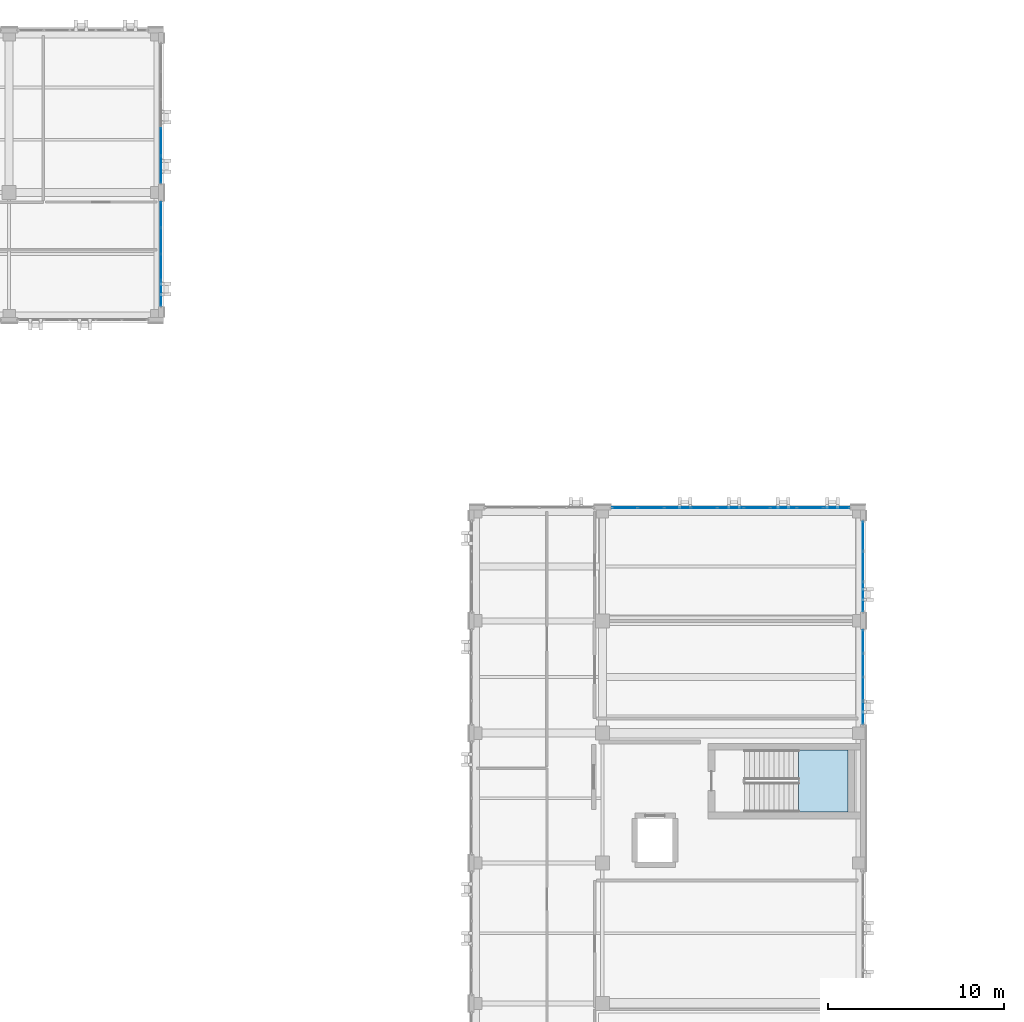
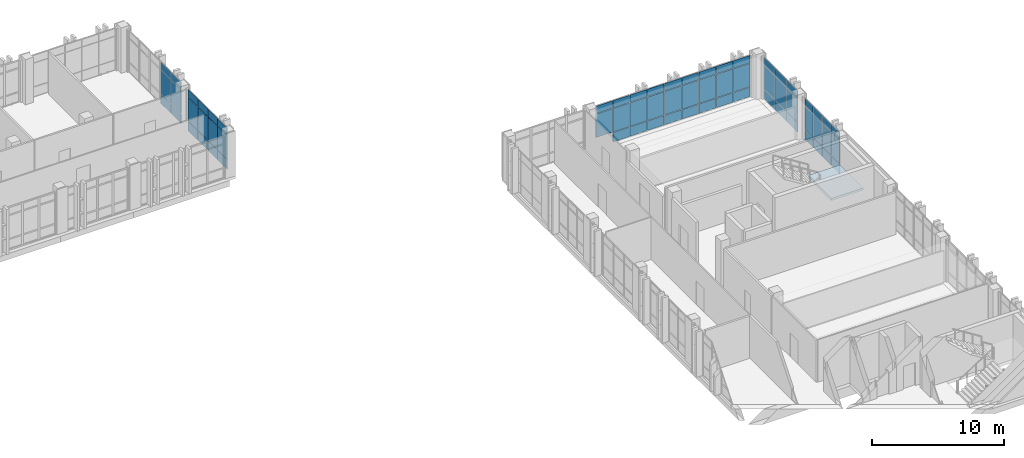
# One storey, part 129 of 165: 65 plates, 1 slab, 6 elements without a shape of their own.
"""IFC4 building model written with IfcOpenShell, lengths in metres."""

import ifcopenshell
import ifcopenshell.guid

model = None  # the IFC model being written
_history = None  # IfcOwnerHistory: only IFC2X3 demands one
_inside = {}  # id of a spatial element -> (the spatial element, [elements in it])
_under = {}  # id of a project, library or spatial element -> (it, [spatial elements below it])
_declared = {}  # id of a project -> (the project, [libraries it declares])
_typed = {}  # id of a type object -> (the type object, [elements of that type])
_made_of = {}  # id of a material, layer set ... -> (it, [elements and type objects made of it])


def new_model(schema):
    """Start an empty IFC model of exactly this schema.

    Asked for "IFC4X3", IfcOpenShell would pick the latest addendum, in which some entities
    have other attributes; the version numbers below select the first issue.
    IFC2X3 requires an IfcOwnerHistory on every rooted entity: one is made here for all.
    """
    global model, _history
    if schema == "IFC4X3":
        model = ifcopenshell.file(schema_version=(4, 3, 0, 0))
    else:
        model = ifcopenshell.file(schema=schema)
    _inside.clear()
    _under.clear()
    _declared.clear()
    _typed.clear()
    _made_of.clear()
    _history = None
    if model.schema == "IFC2X3":
        org = make("IfcOrganization", Name="unknown")
        user = make(
            "IfcPersonAndOrganization",
            ThePerson=make("IfcPerson", FamilyName="unknown"),
            TheOrganization=org,
        )
        app = make(
            "IfcApplication",
            ApplicationDeveloper=org,
            Version="unknown",
            ApplicationFullName="unknown",
            ApplicationIdentifier="unknown",
        )
        _history = make(
            "IfcOwnerHistory",
            OwningUser=user,
            OwningApplication=app,
            ChangeAction="ADDED",
            CreationDate=0,
        )
    return model


def make(cls, **values):
    """One entity of the class cls with the attributes given. An attribute that is None is left unset."""
    return model.create_entity(
        cls, **{name: value for name, value in values.items() if value is not None}
    )


def rooted(cls, **values):
    """An entity with a GlobalId (a new one), such as an element, a storey or a relation."""
    return make(cls, GlobalId=ifcopenshell.guid.new(), OwnerHistory=_history, **values)


def si_unit(unit_type, name, prefix=None):
    """IfcSIUnit, for example si_unit("LENGTHUNIT", "METRE", prefix="MILLI")."""
    return make("IfcSIUnit", UnitType=unit_type, Prefix=prefix, Name=name)


def assignment(units):
    """IfcUnitAssignment: the units of a project."""
    return None if units is None else make("IfcUnitAssignment", Units=units)


def point(xyz):
    """IfcCartesianPoint."""
    return None if xyz is None else make("IfcCartesianPoint", Coordinates=xyz)


def direction(xyz):
    """IfcDirection."""
    return None if xyz is None else make("IfcDirection", DirectionRatios=xyz)


def frame(location, z_axis=None, x_axis=None):
    """IfcAxis2Placement3D, a coordinate frame: its origin and axes. An axis left out is left unset."""
    return make(
        "IfcAxis2Placement3D",
        Location=point(location),
        Axis=direction(z_axis),
        RefDirection=direction(x_axis),
    )


def frame_2d(location, x_axis=None):
    """IfcAxis2Placement2D, a coordinate frame in the plane: its origin and x axis."""
    return make(
        "IfcAxis2Placement2D", Location=point(location), RefDirection=direction(x_axis)
    )


def origin():
    """The frame at (0, 0, 0) with its axes left unset."""
    return frame((0.0, 0.0, 0.0))


def origin_2d():
    """The frame at (0, 0) in the plane with its x axis left unset."""
    return frame_2d((0.0, 0.0))


def place(relative_to, where):
    """IfcLocalPlacement: puts the frame where relative to a parent placement (None: the world)."""
    return make(
        "IfcLocalPlacement", PlacementRelTo=relative_to, RelativePlacement=where
    )


def context(
    kind, dimensions, precision=None, world=None, true_north=None, identifier=None
):
    """IfcGeometricRepresentationContext, for example the 3D "Model" context."""
    return make(
        "IfcGeometricRepresentationContext",
        ContextIdentifier=identifier,
        ContextType=kind,
        CoordinateSpaceDimension=dimensions,
        Precision=precision,
        WorldCoordinateSystem=world,
        TrueNorth=true_north,
    )


def subcontext(parent, identifier, kind, view, scale=None):
    """IfcGeometricRepresentationSubContext, for example "Body" below "Model"."""
    return make(
        "IfcGeometricRepresentationSubContext",
        ContextIdentifier=identifier,
        ContextType=kind,
        ParentContext=parent,
        TargetScale=scale,
        TargetView=view,
    )


def project(units=None, contexts=None):
    """IfcProject with its units and contexts."""
    return rooted(
        "IfcProject",
        Name="project",
        RepresentationContexts=contexts,
        UnitsInContext=assignment(units),
    )


def spatial(cls, under=None, at=None, **own):
    """A site, building, storey or space (cls), placed at a placement, below another one or the project."""
    s = rooted(cls, ObjectPlacement=at, **own)
    if under is not None:
        _under.setdefault(under.id(), (under, []))[1].append(s)
    return s


def polyline(points):
    """IfcPolyline through the points."""
    return make("IfcPolyline", Points=[point(p) for p in points])


def profile(cls, at=None, kind="AREA", **sizes):
    """A parametric profile (cls). Its sizes go by their IFC names, for example OverallWidth=200.0."""
    return make(cls, ProfileType=kind, Position=at, **sizes)


def rectangle(**sizes):
    """IfcRectangleProfileDef."""
    return profile("IfcRectangleProfileDef", **sizes)


def outline(outer, holes=None, kind="AREA"):
    """IfcArbitraryClosedProfileDef: a profile drawn as a closed curve; with holes, ...WithVoids."""
    if holes is None:
        return make("IfcArbitraryClosedProfileDef", ProfileType=kind, OuterCurve=outer)
    return make(
        "IfcArbitraryProfileDefWithVoids",
        ProfileType=kind,
        OuterCurve=outer,
        InnerCurves=holes,
    )


def extrude(swept, where, along, depth):
    """IfcExtrudedAreaSolid: the profile swept, set in the frame where, extruded along a direction by depth."""
    return make(
        "IfcExtrudedAreaSolid",
        SweptArea=swept,
        Position=where,
        ExtrudedDirection=direction(along),
        Depth=depth,
    )


def shape(context_of_items, identifier, shape_type, items):
    """IfcShapeRepresentation: the items that make up one representation, for example the "Body"."""
    return make(
        "IfcShapeRepresentation",
        ContextOfItems=context_of_items,
        RepresentationIdentifier=identifier,
        RepresentationType=shape_type,
        Items=items,
    )


def material(Name=None, Category=None):
    """IfcMaterial."""
    return make("IfcMaterial", Name=Name, Category=Category)


def layer(
    of_material, thickness, ventilated=None, Name=None, Category=None, Priority=None
):
    """IfcMaterialLayer: one layer of a wall or slab, of a material (None: an air gap)."""
    return make(
        "IfcMaterialLayer",
        Material=of_material,
        LayerThickness=thickness,
        IsVentilated=ventilated,
        Name=Name,
        Category=Category,
        Priority=Priority,
    )


def layer_set(layers, Name=None):
    """IfcMaterialLayerSet."""
    return make("IfcMaterialLayerSet", MaterialLayers=layers, LayerSetName=Name)


def made_of(thing, what):
    """Note that an element or type object is made of a material, layer set ...; save() writes the relation."""
    if what is not None:
        _made_of.setdefault(what.id(), (what, []))[1].append(thing)
    return thing


def type_object(cls, material=None, **own):
    """A type object (cls), such as IfcWallType, which elements share."""
    return made_of(rooted(cls, **own), material)


def element(
    cls,
    number,
    at=None,
    inside=None,
    cuts=None,
    type_object=None,
    material=None,
    context=None,
    identifier="Body",
    shape_type=None,
    held_by="IfcProductDefinitionShape",
    body=None,
    shapes=None,
    **own,
):
    """One element of the class cls, such as IfcWall. Its Tag is "e" and its number.

    at: its placement. inside: the storey or other place that contains it. cuts: it is an
    opening in that element (IfcRelVoidsElement). A single representation is given by context,
    identifier, shape_type and body (its items); several are given by shapes. held_by: the class
    of the entity that holds the representations. save() writes the other relations.
    """
    e = rooted(cls, Tag="e%d" % number, ObjectPlacement=at, **own)
    if body is not None:
        shapes = [shape(context, identifier, shape_type, body)]
    if shapes is not None:
        e.Representation = make(held_by, Representations=shapes)
    if inside is not None:
        _inside.setdefault(inside.id(), (inside, []))[1].append(e)
    if cuts is not None:
        rooted(
            "IfcRelVoidsElement", RelatingBuildingElement=cuts, RelatedOpeningElement=e
        )
    if type_object is not None:
        _typed.setdefault(type_object.id(), (type_object, []))[1].append(e)
    return made_of(e, material)


def aggregate(whole, parts):
    """IfcRelAggregates: a whole, such as a stair, and the parts it consists of."""
    return rooted("IfcRelAggregates", RelatingObject=whole, RelatedObjects=parts)


def save(model, path):
    """Write the relations noted so far, then the file.

    IfcRelAggregates (storeys below a building ...), IfcRelContainedInSpatialStructure (elements
    in a storey), IfcRelDefinesByType, IfcRelAssociatesMaterial and IfcRelDeclares: one each for
    every whole, place, type object, material and project.
    """
    for whole, parts in _under.values():
        aggregate(whole, parts)
    for where, things in _inside.values():
        rooted(
            "IfcRelContainedInSpatialStructure",
            RelatedElements=things,
            RelatingStructure=where,
        )
    for kind, things in _typed.values():
        rooted("IfcRelDefinesByType", RelatedObjects=things, RelatingType=kind)
    for what, things in _made_of.values():
        rooted("IfcRelAssociatesMaterial", RelatedObjects=things, RelatingMaterial=what)
    for by, libraries in _declared.values():
        rooted("IfcRelDeclares", RelatingContext=by, RelatedDefinitions=libraries)
    model.write(path)


model = new_model("IFC4")

# Units and contexts
model_context = context("Model", 3, precision=1e-05, world=origin(), true_north=direction((0.0, 1.0)))
body_context = subcontext(model_context, "Body", "Model", "MODEL_VIEW")
ifc_project = project(units=[si_unit("LENGTHUNIT", "METRE"), si_unit("AREAUNIT", "SQUARE_METRE"), si_unit("VOLUMEUNIT", "CUBIC_METRE"), si_unit("PLANEANGLEUNIT", "RADIAN"), si_unit("MASSUNIT", "GRAM", prefix="KILO")], contexts=[model_context])

# Site, building, storey
site_placement = place(None, origin())
site = spatial("IfcSite", under=ifc_project, at=site_placement, CompositionType="ELEMENT")
building_placement = place(site_placement, origin())
building = spatial("IfcBuilding", under=site, at=building_placement, Name="Qalavern Law Courts", CompositionType="ELEMENT")
storey_placement = place(building_placement, frame((0.0, 0.0, 14.39990234375)))
storey = spatial("IfcBuildingStorey", under=building, at=storey_placement, Name="L03", CompositionType="ELEMENT", Elevation=14.39990234375)

# Curtain wall, plates
ifc_material_1 = material(Name="Anodised aluminium and insulated glazing", Category="aluminium")
ifc_layer_1 = layer(ifc_material_1, 0.166015625)
ifc_layer_set_1 = layer_set([ifc_layer_1], Name="Anodised aluminium and insulated glazing")
curtain_wall_type_1 = type_object("IfcCurtainWallType", Name="ENV-CW-LIB", PredefinedType="USERDEFINED", material=ifc_layer_set_1)
curtain_wall_1_placement = place(storey_placement, origin())
curtain_wall_1 = element("IfcCurtainWall", 1, at=curtain_wall_1_placement, inside=storey, type_object=curtain_wall_type_1, Name="V5 unitised curtain wall L03 east 2", ObjectType="UNITISED CURTAIN WALL", PredefinedType="USERDEFINED")
ifc_material_2 = material(Name="Insulated low-E acoustic glazing", Category="glass")
ifc_layer_2 = layer(ifc_material_2, 0.02392578125)
ifc_layer_set_2 = layer_set([ifc_layer_2], Name="Insulated low-E acoustic glazing")
plate_type_1 = type_object("IfcPlateType", Name="ENV-CWP-24", PredefinedType="CURTAIN_PANEL", material=ifc_layer_set_2)
plate_1_placement = place(storey_placement, frame((66.652587890625, 104.912109375, 0.048095703125), z_axis=(0.0, 0.0, 1.0), x_axis=(0.0, 1.0, 0.0)))
plate_1 = element("IfcPlate", 2, at=plate_1_placement, type_object=plate_type_1, Name="CW-05 panel 1.1", PredefinedType="CURTAIN_PANEL", context=body_context, shape_type="SweptSolid", body=[
    extrude(rectangle(XDim=1.528076171875, YDim=0.02392578125, at=origin_2d()), origin(), (0.0, 0.0, 1.0), 0.8779296875),
])
plate_2_placement = place(storey_placement, frame((66.652587890625, 104.912109375, 0.97412109375), z_axis=(0.0, 0.0, 1.0), x_axis=(0.0, 1.0, 0.0)))
plate_2 = element("IfcPlate", 3, at=plate_2_placement, type_object=plate_type_1, Name="CW-05 panel 1.2", PredefinedType="CURTAIN_PANEL", context=body_context, shape_type="SweptSolid", body=[
    extrude(rectangle(XDim=1.528076171875, YDim=0.02392578125, at=origin_2d()), origin(), (0.0, 0.0, 1.0), 2.172119140625),
])
plate_3_placement = place(storey_placement, frame((66.652587890625, 104.912109375, 3.1943359375), z_axis=(0.0, 0.0, 1.0), x_axis=(0.0, 1.0, 0.0)))
plate_3 = element("IfcPlate", 4, at=plate_3_placement, type_object=plate_type_1, Name="CW-05 panel 1.3", PredefinedType="CURTAIN_PANEL", context=body_context, shape_type="SweptSolid", body=[
    extrude(rectangle(XDim=1.528076171875, YDim=0.02392578125, at=origin_2d()), origin(), (0.0, 0.0, 1.0), 0.677978515625),
])
plate_4_placement = place(storey_placement, frame((66.652587890625, 106.5, 0.048095703125), z_axis=(0.0, 0.0, 1.0), x_axis=(0.0, 1.0, 0.0)))
plate_4 = element("IfcPlate", 5, at=plate_4_placement, type_object=plate_type_1, Name="CW-05 panel 2.1", PredefinedType="CURTAIN_PANEL", context=body_context, shape_type="SweptSolid", body=[
    extrude(rectangle(XDim=1.552001953125, YDim=0.02392578125, at=origin_2d()), origin(), (0.0, 0.0, 1.0), 0.8779296875),
])
plate_5_placement = place(storey_placement, frame((66.652587890625, 106.5, 0.97412109375), z_axis=(0.0, 0.0, 1.0), x_axis=(0.0, 1.0, 0.0)))
plate_5 = element("IfcPlate", 6, at=plate_5_placement, type_object=plate_type_1, Name="CW-05 panel 2.2", PredefinedType="CURTAIN_PANEL", context=body_context, shape_type="SweptSolid", body=[
    extrude(rectangle(XDim=1.552001953125, YDim=0.02392578125, at=origin_2d()), origin(), (0.0, 0.0, 1.0), 2.172119140625),
])
plate_6_placement = place(storey_placement, frame((66.652587890625, 106.5, 3.1943359375), z_axis=(0.0, 0.0, 1.0), x_axis=(0.0, 1.0, 0.0)))
plate_6 = element("IfcPlate", 7, at=plate_6_placement, type_object=plate_type_1, Name="CW-05 panel 2.3", PredefinedType="CURTAIN_PANEL", context=body_context, shape_type="SweptSolid", body=[
    extrude(rectangle(XDim=1.552001953125, YDim=0.02392578125, at=origin_2d()), origin(), (0.0, 0.0, 1.0), 0.677978515625),
])
aggregate(curtain_wall_1, [plate_1, plate_2, plate_3, plate_4, plate_5, plate_6])

ifc_layer_3 = layer(ifc_material_1, 0.172119140625)
ifc_layer_set_3 = layer_set([ifc_layer_3], Name="Anodised aluminium and insulated glazing")
curtain_wall_type_2 = type_object("IfcCurtainWallType", Name="ENV-CW-COURT", PredefinedType="USERDEFINED", material=ifc_layer_set_3)
curtain_wall_2_placement = place(storey_placement, origin())
curtain_wall_2 = element("IfcCurtainWall", 8, at=curtain_wall_2_placement, inside=storey, type_object=curtain_wall_type_2, Name="V4 unitised curtain wall L03 east 4", ObjectType="UNITISED CURTAIN WALL", PredefinedType="USERDEFINED")
ifc_layer_4 = layer(ifc_material_2, 0.031982421875)
ifc_layer_set_4 = layer_set([ifc_layer_4], Name="Insulated low-E acoustic glazing")
plate_type_2 = type_object("IfcPlateType", Name="ENV-CWP-32", PredefinedType="CURTAIN_PANEL", material=ifc_layer_set_4)
plate_7_placement = place(storey_placement, frame((106.652587890625, 73.987060546875, 0.048095703125), z_axis=(0.0, 0.0, 1.0), x_axis=(0.0, 1.0, 0.0)))
plate_7 = element("IfcPlate", 9, at=plate_7_placement, type_object=plate_type_2, Name="CW-03 panel 1.1", PredefinedType="CURTAIN_PANEL", context=body_context, shape_type="SweptSolid", body=[
    extrude(rectangle(XDim=1.278076171875, YDim=0.031982421875, at=origin_2d()), origin(), (0.0, 0.0, 1.0), 0.8779296875),
])
plate_8_placement = place(storey_placement, frame((106.652587890625, 73.987060546875, 0.97412109375), z_axis=(0.0, 0.0, 1.0), x_axis=(0.0, 1.0, 0.0)))
plate_8 = element("IfcPlate", 10, at=plate_8_placement, type_object=plate_type_2, Name="CW-03 panel 1.2", PredefinedType="CURTAIN_PANEL", context=body_context, shape_type="SweptSolid", body=[
    extrude(rectangle(XDim=1.278076171875, YDim=0.031982421875, at=origin_2d()), origin(), (0.0, 0.0, 1.0), 2.172119140625),
])
plate_9_placement = place(storey_placement, frame((106.652587890625, 73.987060546875, 3.1943359375), z_axis=(0.0, 0.0, 1.0), x_axis=(0.0, 1.0, 0.0)))
plate_9 = element("IfcPlate", 11, at=plate_9_placement, type_object=plate_type_2, Name="CW-03 panel 1.3", PredefinedType="CURTAIN_PANEL", context=body_context, shape_type="SweptSolid", body=[
    extrude(rectangle(XDim=1.278076171875, YDim=0.031982421875, at=origin_2d()), origin(), (0.0, 0.0, 1.0), 0.677978515625),
])
plate_10_placement = place(storey_placement, frame((106.652587890625, 75.324951171875, 0.048095703125), z_axis=(0.0, 0.0, 1.0), x_axis=(0.0, 1.0, 0.0)))
plate_10 = element("IfcPlate", 12, at=plate_10_placement, type_object=plate_type_2, Name="CW-03 panel 2.1", PredefinedType="CURTAIN_PANEL", context=body_context, shape_type="SweptSolid", body=[
    extrude(rectangle(XDim=1.302001953125, YDim=0.031982421875, at=origin_2d()), origin(), (0.0, 0.0, 1.0), 0.8779296875),
])
plate_11_placement = place(storey_placement, frame((106.652587890625, 75.324951171875, 0.97412109375), z_axis=(0.0, 0.0, 1.0), x_axis=(0.0, 1.0, 0.0)))
plate_11 = element("IfcPlate", 13, at=plate_11_placement, type_object=plate_type_2, Name="CW-03 panel 2.2", PredefinedType="CURTAIN_PANEL", context=body_context, shape_type="SweptSolid", body=[
    extrude(rectangle(XDim=1.302001953125, YDim=0.031982421875, at=origin_2d()), origin(), (0.0, 0.0, 1.0), 2.172119140625),
])
plate_12_placement = place(storey_placement, frame((106.652587890625, 75.324951171875, 3.1943359375), z_axis=(0.0, 0.0, 1.0), x_axis=(0.0, 1.0, 0.0)))
plate_12 = element("IfcPlate", 14, at=plate_12_placement, type_object=plate_type_2, Name="CW-03 panel 2.3", PredefinedType="CURTAIN_PANEL", context=body_context, shape_type="SweptSolid", body=[
    extrude(rectangle(XDim=1.302001953125, YDim=0.031982421875, at=origin_2d()), origin(), (0.0, 0.0, 1.0), 0.677978515625),
])
plate_13_placement = place(storey_placement, frame((106.652587890625, 76.675048828125, 0.048095703125), z_axis=(0.0, 0.0, 1.0), x_axis=(0.0, 1.0, 0.0)))
plate_13 = element("IfcPlate", 15, at=plate_13_placement, type_object=plate_type_2, Name="CW-03 panel 3.1", PredefinedType="CURTAIN_PANEL", context=body_context, shape_type="SweptSolid", body=[
    extrude(rectangle(XDim=1.302001953125, YDim=0.031982421875, at=origin_2d()), origin(), (0.0, 0.0, 1.0), 0.8779296875),
])
plate_14_placement = place(storey_placement, frame((106.652587890625, 76.675048828125, 0.97412109375), z_axis=(0.0, 0.0, 1.0), x_axis=(0.0, 1.0, 0.0)))
plate_14 = element("IfcPlate", 16, at=plate_14_placement, type_object=plate_type_2, Name="CW-03 panel 3.2", PredefinedType="CURTAIN_PANEL", context=body_context, shape_type="SweptSolid", body=[
    extrude(rectangle(XDim=1.302001953125, YDim=0.031982421875, at=origin_2d()), origin(), (0.0, 0.0, 1.0), 2.172119140625),
])
plate_15_placement = place(storey_placement, frame((106.652587890625, 76.675048828125, 3.1943359375), z_axis=(0.0, 0.0, 1.0), x_axis=(0.0, 1.0, 0.0)))
plate_15 = element("IfcPlate", 17, at=plate_15_placement, type_object=plate_type_2, Name="CW-03 panel 3.3", PredefinedType="CURTAIN_PANEL", context=body_context, shape_type="SweptSolid", body=[
    extrude(rectangle(XDim=1.302001953125, YDim=0.031982421875, at=origin_2d()), origin(), (0.0, 0.0, 1.0), 0.677978515625),
])
plate_16_placement = place(storey_placement, frame((106.652587890625, 78.012939453125, 0.048095703125), z_axis=(0.0, 0.0, 1.0), x_axis=(0.0, 1.0, 0.0)))
plate_16 = element("IfcPlate", 18, at=plate_16_placement, type_object=plate_type_2, Name="CW-03 panel 4.1", PredefinedType="CURTAIN_PANEL", context=body_context, shape_type="SweptSolid", body=[
    extrude(rectangle(XDim=1.278076171875, YDim=0.031982421875, at=origin_2d()), origin(), (0.0, 0.0, 1.0), 0.8779296875),
])
plate_17_placement = place(storey_placement, frame((106.652587890625, 78.012939453125, 0.97412109375), z_axis=(0.0, 0.0, 1.0), x_axis=(0.0, 1.0, 0.0)))
plate_17 = element("IfcPlate", 19, at=plate_17_placement, type_object=plate_type_2, Name="CW-03 panel 4.2", PredefinedType="CURTAIN_PANEL", context=body_context, shape_type="SweptSolid", body=[
    extrude(rectangle(XDim=1.278076171875, YDim=0.031982421875, at=origin_2d()), origin(), (0.0, 0.0, 1.0), 2.172119140625),
])
plate_18_placement = place(storey_placement, frame((106.652587890625, 78.012939453125, 3.1943359375), z_axis=(0.0, 0.0, 1.0), x_axis=(0.0, 1.0, 0.0)))
plate_18 = element("IfcPlate", 20, at=plate_18_placement, type_object=plate_type_2, Name="CW-03 panel 4.3", PredefinedType="CURTAIN_PANEL", context=body_context, shape_type="SweptSolid", body=[
    extrude(rectangle(XDim=1.278076171875, YDim=0.031982421875, at=origin_2d()), origin(), (0.0, 0.0, 1.0), 0.677978515625),
])
aggregate(curtain_wall_2, [plate_7, plate_8, plate_9, plate_10, plate_11, plate_12, plate_13, plate_14, plate_15, plate_16, plate_17, plate_18])

curtain_wall_3_placement = place(storey_placement, origin())
curtain_wall_3 = element("IfcCurtainWall", 21, at=curtain_wall_3_placement, inside=storey, type_object=curtain_wall_type_2, Name="V4 unitised curtain wall L03 east 5", ObjectType="UNITISED CURTAIN WALL", PredefinedType="USERDEFINED")
ifc_layer_5 = layer(ifc_material_2, 0.035888671875)
ifc_layer_set_5 = layer_set([ifc_layer_5], Name="Insulated low-E acoustic glazing")
plate_type_3 = type_object("IfcPlateType", Name="ENV-CWP-36", PredefinedType="CURTAIN_PANEL", material=ifc_layer_set_5)
plate_19_placement = place(storey_placement, frame((106.652587890625, 80.57861328125, 0.048095703125), z_axis=(0.0, 0.0, 1.0), x_axis=(0.0, 1.0, 0.0)))
plate_19 = element("IfcPlate", 22, at=plate_19_placement, type_object=plate_type_3, Name="CW-03 panel 1.1", PredefinedType="CURTAIN_PANEL", context=body_context, shape_type="SweptSolid", body=[
    extrude(rectangle(XDim=1.661376953125, YDim=0.035888671875, at=origin_2d()), origin(), (0.0, 0.0, 1.0), 0.8779296875),
])
plate_20_placement = place(storey_placement, frame((106.652587890625, 80.57861328125, 0.97412109375), z_axis=(0.0, 0.0, 1.0), x_axis=(0.0, 1.0, 0.0)))
plate_20 = element("IfcPlate", 23, at=plate_20_placement, type_object=plate_type_3, Name="CW-03 panel 1.2", PredefinedType="CURTAIN_PANEL", context=body_context, shape_type="SweptSolid", body=[
    extrude(rectangle(XDim=1.661376953125, YDim=0.035888671875, at=origin_2d()), origin(), (0.0, 0.0, 1.0), 2.172119140625),
])
plate_21_placement = place(storey_placement, frame((106.652587890625, 80.57861328125, 3.1943359375), z_axis=(0.0, 0.0, 1.0), x_axis=(0.0, 1.0, 0.0)))
plate_21 = element("IfcPlate", 24, at=plate_21_placement, type_object=plate_type_3, Name="CW-03 panel 1.3", PredefinedType="CURTAIN_PANEL", context=body_context, shape_type="SweptSolid", body=[
    extrude(rectangle(XDim=1.661376953125, YDim=0.035888671875, at=origin_2d()), origin(), (0.0, 0.0, 1.0), 0.677978515625),
])
plate_22_placement = place(storey_placement, frame((106.652587890625, 82.300048828125, 0.048095703125), z_axis=(0.0, 0.0, 1.0), x_axis=(0.0, 1.0, 0.0)))
plate_22 = element("IfcPlate", 25, at=plate_22_placement, type_object=plate_type_3, Name="CW-03 panel 2.1", PredefinedType="CURTAIN_PANEL", context=body_context, shape_type="SweptSolid", body=[
    extrude(rectangle(XDim=1.685302734375, YDim=0.035888671875, at=origin_2d()), origin(), (0.0, 0.0, 1.0), 0.8779296875),
])
plate_23_placement = place(storey_placement, frame((106.652587890625, 82.300048828125, 0.97412109375), z_axis=(0.0, 0.0, 1.0), x_axis=(0.0, 1.0, 0.0)))
plate_23 = element("IfcPlate", 26, at=plate_23_placement, type_object=plate_type_3, Name="CW-03 panel 2.2", PredefinedType="CURTAIN_PANEL", context=body_context, shape_type="SweptSolid", body=[
    extrude(rectangle(XDim=1.685302734375, YDim=0.035888671875, at=origin_2d()), origin(), (0.0, 0.0, 1.0), 2.172119140625),
])
plate_24_placement = place(storey_placement, frame((106.652587890625, 82.300048828125, 3.1943359375), z_axis=(0.0, 0.0, 1.0), x_axis=(0.0, 1.0, 0.0)))
plate_24 = element("IfcPlate", 27, at=plate_24_placement, type_object=plate_type_3, Name="CW-03 panel 2.3", PredefinedType="CURTAIN_PANEL", context=body_context, shape_type="SweptSolid", body=[
    extrude(rectangle(XDim=1.685302734375, YDim=0.035888671875, at=origin_2d()), origin(), (0.0, 0.0, 1.0), 0.677978515625),
])
plate_25_placement = place(storey_placement, frame((106.652587890625, 84.021240234375, 0.048095703125), z_axis=(0.0, 0.0, 1.0), x_axis=(0.0, 1.0, 0.0)))
plate_25 = element("IfcPlate", 28, at=plate_25_placement, type_object=plate_type_3, Name="CW-03 panel 3.1", PredefinedType="CURTAIN_PANEL", context=body_context, shape_type="SweptSolid", body=[
    extrude(rectangle(XDim=1.661376953125, YDim=0.035888671875, at=origin_2d()), origin(), (0.0, 0.0, 1.0), 0.8779296875),
])
plate_26_placement = place(storey_placement, frame((106.652587890625, 84.021240234375, 0.97412109375), z_axis=(0.0, 0.0, 1.0), x_axis=(0.0, 1.0, 0.0)))
plate_26 = element("IfcPlate", 29, at=plate_26_placement, type_object=plate_type_3, Name="CW-03 panel 3.2", PredefinedType="CURTAIN_PANEL", context=body_context, shape_type="SweptSolid", body=[
    extrude(rectangle(XDim=1.661376953125, YDim=0.035888671875, at=origin_2d()), origin(), (0.0, 0.0, 1.0), 2.172119140625),
])
plate_27_placement = place(storey_placement, frame((106.652587890625, 84.021240234375, 3.1943359375), z_axis=(0.0, 0.0, 1.0), x_axis=(0.0, 1.0, 0.0)))
plate_27 = element("IfcPlate", 30, at=plate_27_placement, type_object=plate_type_3, Name="CW-03 panel 3.3", PredefinedType="CURTAIN_PANEL", context=body_context, shape_type="SweptSolid", body=[
    extrude(rectangle(XDim=1.661376953125, YDim=0.035888671875, at=origin_2d()), origin(), (0.0, 0.0, 1.0), 0.677978515625),
])
aggregate(curtain_wall_3, [plate_19, plate_20, plate_21, plate_22, plate_23, plate_24, plate_25, plate_26, plate_27])

curtain_wall_4_placement = place(storey_placement, origin())
curtain_wall_4 = element("IfcCurtainWall", 31, at=curtain_wall_4_placement, inside=storey, type_object=curtain_wall_type_2, Name="V4 unitised curtain wall L03 north 1", ObjectType="UNITISED CURTAIN WALL", PredefinedType="USERDEFINED")
ifc_layer_6 = layer(ifc_material_2, 0.052001953125)
ifc_layer_set_6 = layer_set([ifc_layer_6], Name="Insulated low-E acoustic glazing")
plate_type_4 = type_object("IfcPlateType", Name="ENV-CWP-52", PredefinedType="CURTAIN_PANEL", material=ifc_layer_set_6)
plate_28_placement = place(storey_placement, frame((105.13232421875, 85.652587890625, 0.048095703125), z_axis=(0.0, 0.0, 1.0), x_axis=(-1.0, 0.0, 0.0)))
plate_28 = element("IfcPlate", 32, at=plate_28_placement, type_object=plate_type_4, Name="CW-03 panel 1.1", PredefinedType="CURTAIN_PANEL", context=body_context, shape_type="SweptSolid", body=[
    extrude(rectangle(XDim=1.439208984375, YDim=0.052001953125, at=origin_2d()), origin(), (0.0, 0.0, 1.0), 0.8779296875),
])
plate_29_placement = place(storey_placement, frame((105.13232421875, 85.652587890625, 0.97412109375), z_axis=(0.0, 0.0, 1.0), x_axis=(-1.0, 0.0, 0.0)))
plate_29 = element("IfcPlate", 33, at=plate_29_placement, type_object=plate_type_4, Name="CW-03 panel 1.2", PredefinedType="CURTAIN_PANEL", context=body_context, shape_type="SweptSolid", body=[
    extrude(rectangle(XDim=1.439208984375, YDim=0.052001953125, at=origin_2d()), origin(), (0.0, 0.0, 1.0), 2.172119140625),
])
plate_30_placement = place(storey_placement, frame((105.13232421875, 85.652587890625, 3.1943359375), z_axis=(0.0, 0.0, 1.0), x_axis=(-1.0, 0.0, 0.0)))
plate_30 = element("IfcPlate", 34, at=plate_30_placement, type_object=plate_type_4, Name="CW-03 panel 1.3", PredefinedType="CURTAIN_PANEL", context=body_context, shape_type="SweptSolid", body=[
    extrude(rectangle(XDim=1.439208984375, YDim=0.052001953125, at=origin_2d()), origin(), (0.0, 0.0, 1.0), 0.677978515625),
])
plate_31_placement = place(storey_placement, frame((103.63330078125, 85.652587890625, 0.048095703125), z_axis=(0.0, 0.0, 1.0), x_axis=(-1.0, 0.0, 0.0)))
plate_31 = element("IfcPlate", 35, at=plate_31_placement, type_object=plate_type_4, Name="CW-03 panel 2.1", PredefinedType="CURTAIN_PANEL", context=body_context, shape_type="SweptSolid", body=[
    extrude(rectangle(XDim=1.463134765625, YDim=0.052001953125, at=origin_2d()), origin(), (0.0, 0.0, 1.0), 0.8779296875),
])
plate_32_placement = place(storey_placement, frame((103.63330078125, 85.652587890625, 0.97412109375), z_axis=(0.0, 0.0, 1.0), x_axis=(-1.0, 0.0, 0.0)))
plate_32 = element("IfcPlate", 36, at=plate_32_placement, type_object=plate_type_4, Name="CW-03 panel 2.2", PredefinedType="CURTAIN_PANEL", context=body_context, shape_type="SweptSolid", body=[
    extrude(rectangle(XDim=1.463134765625, YDim=0.052001953125, at=origin_2d()), origin(), (0.0, 0.0, 1.0), 2.172119140625),
])
plate_33_placement = place(storey_placement, frame((103.63330078125, 85.652587890625, 3.1943359375), z_axis=(0.0, 0.0, 1.0), x_axis=(-1.0, 0.0, 0.0)))
plate_33 = element("IfcPlate", 37, at=plate_33_placement, type_object=plate_type_4, Name="CW-03 panel 2.3", PredefinedType="CURTAIN_PANEL", context=body_context, shape_type="SweptSolid", body=[
    extrude(rectangle(XDim=1.463134765625, YDim=0.052001953125, at=origin_2d()), origin(), (0.0, 0.0, 1.0), 0.677978515625),
])
plate_34_placement = place(storey_placement, frame((102.122314453125, 85.652587890625, 0.048095703125), z_axis=(0.0, 0.0, 1.0), x_axis=(-1.0, 0.0, 0.0)))
plate_34 = element("IfcPlate", 38, at=plate_34_placement, type_object=plate_type_4, Name="CW-03 panel 3.1", PredefinedType="CURTAIN_PANEL", context=body_context, shape_type="SweptSolid", body=[
    extrude(rectangle(XDim=1.463134765625, YDim=0.052001953125, at=origin_2d()), origin(), (0.0, 0.0, 1.0), 0.8779296875),
])
plate_35_placement = place(storey_placement, frame((102.122314453125, 85.652587890625, 0.97412109375), z_axis=(0.0, 0.0, 1.0), x_axis=(-1.0, 0.0, 0.0)))
plate_35 = element("IfcPlate", 39, at=plate_35_placement, type_object=plate_type_4, Name="CW-03 panel 3.2", PredefinedType="CURTAIN_PANEL", context=body_context, shape_type="SweptSolid", body=[
    extrude(rectangle(XDim=1.463134765625, YDim=0.052001953125, at=origin_2d()), origin(), (0.0, 0.0, 1.0), 2.172119140625),
])
plate_36_placement = place(storey_placement, frame((102.122314453125, 85.652587890625, 3.1943359375), z_axis=(0.0, 0.0, 1.0), x_axis=(-1.0, 0.0, 0.0)))
plate_36 = element("IfcPlate", 40, at=plate_36_placement, type_object=plate_type_4, Name="CW-03 panel 3.3", PredefinedType="CURTAIN_PANEL", context=body_context, shape_type="SweptSolid", body=[
    extrude(rectangle(XDim=1.463134765625, YDim=0.052001953125, at=origin_2d()), origin(), (0.0, 0.0, 1.0), 0.677978515625),
])
plate_37_placement = place(storey_placement, frame((100.611083984375, 85.652587890625, 0.048095703125), z_axis=(0.0, 0.0, 1.0), x_axis=(-1.0, 0.0, 0.0)))
plate_37 = element("IfcPlate", 41, at=plate_37_placement, type_object=plate_type_4, Name="CW-03 panel 4.1", PredefinedType="CURTAIN_PANEL", context=body_context, shape_type="SweptSolid", body=[
    extrude(rectangle(XDim=1.463134765625, YDim=0.052001953125, at=origin_2d()), origin(), (0.0, 0.0, 1.0), 0.8779296875),
])
plate_38_placement = place(storey_placement, frame((100.611083984375, 85.652587890625, 0.97412109375), z_axis=(0.0, 0.0, 1.0), x_axis=(-1.0, 0.0, 0.0)))
plate_38 = element("IfcPlate", 42, at=plate_38_placement, type_object=plate_type_4, Name="CW-03 panel 4.2", PredefinedType="CURTAIN_PANEL", context=body_context, shape_type="SweptSolid", body=[
    extrude(rectangle(XDim=1.463134765625, YDim=0.052001953125, at=origin_2d()), origin(), (0.0, 0.0, 1.0), 2.172119140625),
])
plate_39_placement = place(storey_placement, frame((100.611083984375, 85.652587890625, 3.1943359375), z_axis=(0.0, 0.0, 1.0), x_axis=(-1.0, 0.0, 0.0)))
plate_39 = element("IfcPlate", 43, at=plate_39_placement, type_object=plate_type_4, Name="CW-03 panel 4.3", PredefinedType="CURTAIN_PANEL", context=body_context, shape_type="SweptSolid", body=[
    extrude(rectangle(XDim=1.463134765625, YDim=0.052001953125, at=origin_2d()), origin(), (0.0, 0.0, 1.0), 0.677978515625),
])
plate_40_placement = place(storey_placement, frame((99.10009765625, 85.652587890625, 0.048095703125), z_axis=(0.0, 0.0, 1.0), x_axis=(-1.0, 0.0, 0.0)))
plate_40 = element("IfcPlate", 44, at=plate_40_placement, type_object=plate_type_4, Name="CW-03 panel 5.1", PredefinedType="CURTAIN_PANEL", context=body_context, shape_type="SweptSolid", body=[
    extrude(rectangle(XDim=1.463134765625, YDim=0.052001953125, at=origin_2d()), origin(), (0.0, 0.0, 1.0), 0.8779296875),
])
plate_41_placement = place(storey_placement, frame((99.10009765625, 85.652587890625, 0.97412109375), z_axis=(0.0, 0.0, 1.0), x_axis=(-1.0, 0.0, 0.0)))
plate_41 = element("IfcPlate", 45, at=plate_41_placement, type_object=plate_type_4, Name="CW-03 panel 5.2", PredefinedType="CURTAIN_PANEL", context=body_context, shape_type="SweptSolid", body=[
    extrude(rectangle(XDim=1.463134765625, YDim=0.052001953125, at=origin_2d()), origin(), (0.0, 0.0, 1.0), 2.172119140625),
])
plate_42_placement = place(storey_placement, frame((99.10009765625, 85.652587890625, 3.1943359375), z_axis=(0.0, 0.0, 1.0), x_axis=(-1.0, 0.0, 0.0)))
plate_42 = element("IfcPlate", 46, at=plate_42_placement, type_object=plate_type_4, Name="CW-03 panel 5.3", PredefinedType="CURTAIN_PANEL", context=body_context, shape_type="SweptSolid", body=[
    extrude(rectangle(XDim=1.463134765625, YDim=0.052001953125, at=origin_2d()), origin(), (0.0, 0.0, 1.0), 0.677978515625),
])
plate_43_placement = place(storey_placement, frame((97.5888671875, 85.652587890625, 0.048095703125), z_axis=(0.0, 0.0, 1.0), x_axis=(-1.0, 0.0, 0.0)))
plate_43 = element("IfcPlate", 47, at=plate_43_placement, type_object=plate_type_4, Name="CW-03 panel 6.1", PredefinedType="CURTAIN_PANEL", context=body_context, shape_type="SweptSolid", body=[
    extrude(rectangle(XDim=1.463134765625, YDim=0.052001953125, at=origin_2d()), origin(), (0.0, 0.0, 1.0), 0.8779296875),
])
plate_44_placement = place(storey_placement, frame((97.5888671875, 85.652587890625, 0.97412109375), z_axis=(0.0, 0.0, 1.0), x_axis=(-1.0, 0.0, 0.0)))
plate_44 = element("IfcPlate", 48, at=plate_44_placement, type_object=plate_type_4, Name="CW-03 panel 6.2", PredefinedType="CURTAIN_PANEL", context=body_context, shape_type="SweptSolid", body=[
    extrude(rectangle(XDim=1.463134765625, YDim=0.052001953125, at=origin_2d()), origin(), (0.0, 0.0, 1.0), 2.172119140625),
])
plate_45_placement = place(storey_placement, frame((97.5888671875, 85.652587890625, 3.1943359375), z_axis=(0.0, 0.0, 1.0), x_axis=(-1.0, 0.0, 0.0)))
plate_45 = element("IfcPlate", 49, at=plate_45_placement, type_object=plate_type_4, Name="CW-03 panel 6.3", PredefinedType="CURTAIN_PANEL", context=body_context, shape_type="SweptSolid", body=[
    extrude(rectangle(XDim=1.463134765625, YDim=0.052001953125, at=origin_2d()), origin(), (0.0, 0.0, 1.0), 0.677978515625),
])
plate_46_placement = place(storey_placement, frame((96.077880859375, 85.652587890625, 0.048095703125), z_axis=(0.0, 0.0, 1.0), x_axis=(-1.0, 0.0, 0.0)))
plate_46 = element("IfcPlate", 50, at=plate_46_placement, type_object=plate_type_4, Name="CW-03 panel 7.1", PredefinedType="CURTAIN_PANEL", context=body_context, shape_type="SweptSolid", body=[
    extrude(rectangle(XDim=1.463134765625, YDim=0.052001953125, at=origin_2d()), origin(), (0.0, 0.0, 1.0), 0.8779296875),
])
plate_47_placement = place(storey_placement, frame((96.077880859375, 85.652587890625, 0.97412109375), z_axis=(0.0, 0.0, 1.0), x_axis=(-1.0, 0.0, 0.0)))
plate_47 = element("IfcPlate", 51, at=plate_47_placement, type_object=plate_type_4, Name="CW-03 panel 7.2", PredefinedType="CURTAIN_PANEL", context=body_context, shape_type="SweptSolid", body=[
    extrude(rectangle(XDim=1.463134765625, YDim=0.052001953125, at=origin_2d()), origin(), (0.0, 0.0, 1.0), 2.172119140625),
])
plate_48_placement = place(storey_placement, frame((96.077880859375, 85.652587890625, 3.1943359375), z_axis=(0.0, 0.0, 1.0), x_axis=(-1.0, 0.0, 0.0)))
plate_48 = element("IfcPlate", 52, at=plate_48_placement, type_object=plate_type_4, Name="CW-03 panel 7.3", PredefinedType="CURTAIN_PANEL", context=body_context, shape_type="SweptSolid", body=[
    extrude(rectangle(XDim=1.463134765625, YDim=0.052001953125, at=origin_2d()), origin(), (0.0, 0.0, 1.0), 0.677978515625),
])
plate_49_placement = place(storey_placement, frame((94.566650390625, 85.652587890625, 0.048095703125), z_axis=(0.0, 0.0, 1.0), x_axis=(-1.0, 0.0, 0.0)))
plate_49 = element("IfcPlate", 53, at=plate_49_placement, type_object=plate_type_4, Name="CW-03 panel 8.1", PredefinedType="CURTAIN_PANEL", context=body_context, shape_type="SweptSolid", body=[
    extrude(rectangle(XDim=1.463134765625, YDim=0.052001953125, at=origin_2d()), origin(), (0.0, 0.0, 1.0), 0.8779296875),
])
plate_50_placement = place(storey_placement, frame((94.566650390625, 85.652587890625, 0.97412109375), z_axis=(0.0, 0.0, 1.0), x_axis=(-1.0, 0.0, 0.0)))
plate_50 = element("IfcPlate", 54, at=plate_50_placement, type_object=plate_type_4, Name="CW-03 panel 8.2", PredefinedType="CURTAIN_PANEL", context=body_context, shape_type="SweptSolid", body=[
    extrude(rectangle(XDim=1.463134765625, YDim=0.052001953125, at=origin_2d()), origin(), (0.0, 0.0, 1.0), 2.172119140625),
])
plate_51_placement = place(storey_placement, frame((94.566650390625, 85.652587890625, 3.1943359375), z_axis=(0.0, 0.0, 1.0), x_axis=(-1.0, 0.0, 0.0)))
plate_51 = element("IfcPlate", 55, at=plate_51_placement, type_object=plate_type_4, Name="CW-03 panel 8.3", PredefinedType="CURTAIN_PANEL", context=body_context, shape_type="SweptSolid", body=[
    extrude(rectangle(XDim=1.463134765625, YDim=0.052001953125, at=origin_2d()), origin(), (0.0, 0.0, 1.0), 0.677978515625),
])
plate_52_placement = place(storey_placement, frame((93.067626953125, 85.652587890625, 0.97412109375), z_axis=(0.0, 0.0, 1.0), x_axis=(-1.0, 0.0, 0.0)))
plate_52 = element("IfcPlate", 56, at=plate_52_placement, type_object=plate_type_4, Name="CW-03 panel 9.2", PredefinedType="CURTAIN_PANEL", context=body_context, shape_type="SweptSolid", body=[
    extrude(rectangle(XDim=1.439208984375, YDim=0.052001953125, at=origin_2d()), origin(), (0.0, 0.0, 1.0), 2.172119140625),
])
plate_53_placement = place(storey_placement, frame((93.067626953125, 85.652587890625, 3.1943359375), z_axis=(0.0, 0.0, 1.0), x_axis=(-1.0, 0.0, 0.0)))
plate_53 = element("IfcPlate", 57, at=plate_53_placement, type_object=plate_type_4, Name="CW-03 panel 9.3", PredefinedType="CURTAIN_PANEL", context=body_context, shape_type="SweptSolid", body=[
    extrude(rectangle(XDim=1.439208984375, YDim=0.052001953125, at=origin_2d()), origin(), (0.0, 0.0, 1.0), 0.677978515625),
])
aggregate(curtain_wall_4, [plate_28, plate_29, plate_30, plate_31, plate_32, plate_33, plate_34, plate_35, plate_36, plate_37, plate_38, plate_39, plate_40, plate_41, plate_42, plate_43, plate_44, plate_45, plate_46, plate_47, plate_48, plate_49, plate_50, plate_51, plate_52, plate_53])

curtain_wall_5_placement = place(storey_placement, origin())
curtain_wall_5 = element("IfcCurtainWall", 58, at=curtain_wall_5_placement, inside=storey, type_object=curtain_wall_type_1, Name="V5 unitised curtain wall L03 east 1", ObjectType="UNITISED CURTAIN WALL", PredefinedType="USERDEFINED")
plate_54_placement = place(storey_placement, frame((66.652587890625, 97.862060546875, 0.048095703125), z_axis=(0.0, 0.0, 1.0), x_axis=(0.0, 1.0, 0.0)))
plate_54 = element("IfcPlate", 59, at=plate_54_placement, type_object=plate_type_4, Name="CW-05 panel 1.1", PredefinedType="CURTAIN_PANEL", context=body_context, shape_type="SweptSolid", body=[
    extrude(rectangle(XDim=1.427978515625, YDim=0.052001953125, at=origin_2d()), origin(), (0.0, 0.0, 1.0), 0.8779296875),
])
plate_55_placement = place(storey_placement, frame((66.652587890625, 97.862060546875, 0.97412109375), z_axis=(0.0, 0.0, 1.0), x_axis=(0.0, 1.0, 0.0)))
plate_55 = element("IfcPlate", 60, at=plate_55_placement, type_object=plate_type_4, Name="CW-05 panel 1.2", PredefinedType="CURTAIN_PANEL", context=body_context, shape_type="SweptSolid", body=[
    extrude(rectangle(XDim=1.427978515625, YDim=0.052001953125, at=origin_2d()), origin(), (0.0, 0.0, 1.0), 2.172119140625),
])
plate_56_placement = place(storey_placement, frame((66.652587890625, 97.862060546875, 3.1943359375), z_axis=(0.0, 0.0, 1.0), x_axis=(0.0, 1.0, 0.0)))
plate_56 = element("IfcPlate", 61, at=plate_56_placement, type_object=plate_type_4, Name="CW-05 panel 1.3", PredefinedType="CURTAIN_PANEL", context=body_context, shape_type="SweptSolid", body=[
    extrude(rectangle(XDim=1.427978515625, YDim=0.052001953125, at=origin_2d()), origin(), (0.0, 0.0, 1.0), 0.677978515625),
])
plate_57_placement = place(storey_placement, frame((66.652587890625, 99.35009765625, 0.048095703125), z_axis=(0.0, 0.0, 1.0), x_axis=(0.0, 1.0, 0.0)))
plate_57 = element("IfcPlate", 62, at=plate_57_placement, type_object=plate_type_4, Name="CW-05 panel 2.1", PredefinedType="CURTAIN_PANEL", context=body_context, shape_type="SweptSolid", body=[
    extrude(rectangle(XDim=1.451904296875, YDim=0.052001953125, at=origin_2d()), origin(), (0.0, 0.0, 1.0), 0.8779296875),
])
plate_58_placement = place(storey_placement, frame((66.652587890625, 99.35009765625, 0.97412109375), z_axis=(0.0, 0.0, 1.0), x_axis=(0.0, 1.0, 0.0)))
plate_58 = element("IfcPlate", 63, at=plate_58_placement, type_object=plate_type_4, Name="CW-05 panel 2.2", PredefinedType="CURTAIN_PANEL", context=body_context, shape_type="SweptSolid", body=[
    extrude(rectangle(XDim=1.451904296875, YDim=0.052001953125, at=origin_2d()), origin(), (0.0, 0.0, 1.0), 2.172119140625),
])
plate_59_placement = place(storey_placement, frame((66.652587890625, 99.35009765625, 3.1943359375), z_axis=(0.0, 0.0, 1.0), x_axis=(0.0, 1.0, 0.0)))
plate_59 = element("IfcPlate", 64, at=plate_59_placement, type_object=plate_type_4, Name="CW-05 panel 2.3", PredefinedType="CURTAIN_PANEL", context=body_context, shape_type="SweptSolid", body=[
    extrude(rectangle(XDim=1.451904296875, YDim=0.052001953125, at=origin_2d()), origin(), (0.0, 0.0, 1.0), 0.677978515625),
])
plate_60_placement = place(storey_placement, frame((66.652587890625, 100.85009765625, 0.048095703125), z_axis=(0.0, 0.0, 1.0), x_axis=(0.0, 1.0, 0.0)))
plate_60 = element("IfcPlate", 65, at=plate_60_placement, type_object=plate_type_4, Name="CW-05 panel 3.1", PredefinedType="CURTAIN_PANEL", context=body_context, shape_type="SweptSolid", body=[
    extrude(rectangle(XDim=1.451904296875, YDim=0.052001953125, at=origin_2d()), origin(), (0.0, 0.0, 1.0), 0.8779296875),
])
plate_61_placement = place(storey_placement, frame((66.652587890625, 100.85009765625, 0.97412109375), z_axis=(0.0, 0.0, 1.0), x_axis=(0.0, 1.0, 0.0)))
plate_61 = element("IfcPlate", 66, at=plate_61_placement, type_object=plate_type_4, Name="CW-05 panel 3.2", PredefinedType="CURTAIN_PANEL", context=body_context, shape_type="SweptSolid", body=[
    extrude(rectangle(XDim=1.451904296875, YDim=0.052001953125, at=origin_2d()), origin(), (0.0, 0.0, 1.0), 2.172119140625),
])
plate_62_placement = place(storey_placement, frame((66.652587890625, 100.85009765625, 3.1943359375), z_axis=(0.0, 0.0, 1.0), x_axis=(0.0, 1.0, 0.0)))
plate_62 = element("IfcPlate", 67, at=plate_62_placement, type_object=plate_type_4, Name="CW-05 panel 3.3", PredefinedType="CURTAIN_PANEL", context=body_context, shape_type="SweptSolid", body=[
    extrude(rectangle(XDim=1.451904296875, YDim=0.052001953125, at=origin_2d()), origin(), (0.0, 0.0, 1.0), 0.677978515625),
])
plate_63_placement = place(storey_placement, frame((66.652587890625, 102.337890625, 0.048095703125), z_axis=(0.0, 0.0, 1.0), x_axis=(0.0, 1.0, 0.0)))
plate_63 = element("IfcPlate", 68, at=plate_63_placement, type_object=plate_type_4, Name="CW-05 panel 4.1", PredefinedType="CURTAIN_PANEL", context=body_context, shape_type="SweptSolid", body=[
    extrude(rectangle(XDim=1.427978515625, YDim=0.052001953125, at=origin_2d()), origin(), (0.0, 0.0, 1.0), 0.8779296875),
])
plate_64_placement = place(storey_placement, frame((66.652587890625, 102.337890625, 0.97412109375), z_axis=(0.0, 0.0, 1.0), x_axis=(0.0, 1.0, 0.0)))
plate_64 = element("IfcPlate", 69, at=plate_64_placement, type_object=plate_type_4, Name="CW-05 panel 4.2", PredefinedType="CURTAIN_PANEL", context=body_context, shape_type="SweptSolid", body=[
    extrude(rectangle(XDim=1.427978515625, YDim=0.052001953125, at=origin_2d()), origin(), (0.0, 0.0, 1.0), 2.172119140625),
])
plate_65_placement = place(storey_placement, frame((66.652587890625, 102.337890625, 3.1943359375), z_axis=(0.0, 0.0, 1.0), x_axis=(0.0, 1.0, 0.0)))
plate_65 = element("IfcPlate", 70, at=plate_65_placement, type_object=plate_type_4, Name="CW-05 panel 4.3", PredefinedType="CURTAIN_PANEL", context=body_context, shape_type="SweptSolid", body=[
    extrude(rectangle(XDim=1.427978515625, YDim=0.052001953125, at=origin_2d()), origin(), (0.0, 0.0, 1.0), 0.677978515625),
])
aggregate(curtain_wall_5, [plate_54, plate_55, plate_56, plate_57, plate_58, plate_59, plate_60, plate_61, plate_62, plate_63, plate_64, plate_65])

# Stair, slab
ifc_material_3 = material(Name="Concrete C35/45", Category="concrete")
stair_type = type_object("IfcStairType", Name="INT-STAIR-1700", PredefinedType="HALF_TURN_STAIR", material=ifc_material_3)
stair_placement = place(storey_placement, origin())
stair = element("IfcStair", 71, at=stair_placement, inside=storey, type_object=stair_type, Name="L03 ST-K1B", PredefinedType="HALF_TURN_STAIR")
ifc_layer_7 = layer(ifc_material_3, 0.199951171875)
ifc_layer_set_7 = layer_set([ifc_layer_7], Name="Concrete C35/45")
slab_type = type_object("IfcSlabType", Name="INT-LANDING-200", PredefinedType="LANDING", material=ifc_layer_set_7)
slab_placement = place(storey_placement, frame((0.0, 0.0, 1.900146484375)))
slab = element("IfcSlab", 72, at=slab_placement, type_object=slab_type, Name="ST-K1B landing 1", PredefinedType="LANDING", context=body_context, shape_type="SweptSolid", body=[
    extrude(outline(polyline([(102.97998046875, 68.300048828125), (105.800048828125, 68.300048828125), (105.800048828125, 71.85009765625), (102.97998046875, 71.85009765625), (102.97998046875, 68.300048828125)])), origin(), (0.0, 0.0, 1.0), 0.199951171875),
])
aggregate(stair, [slab])

save(model, "model.ifc")
